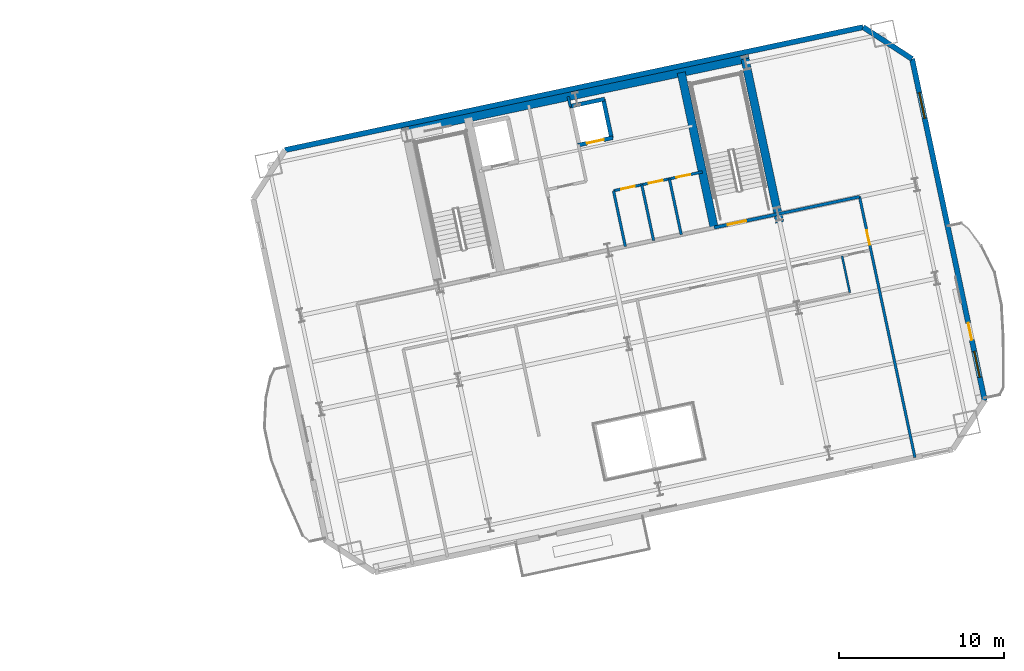
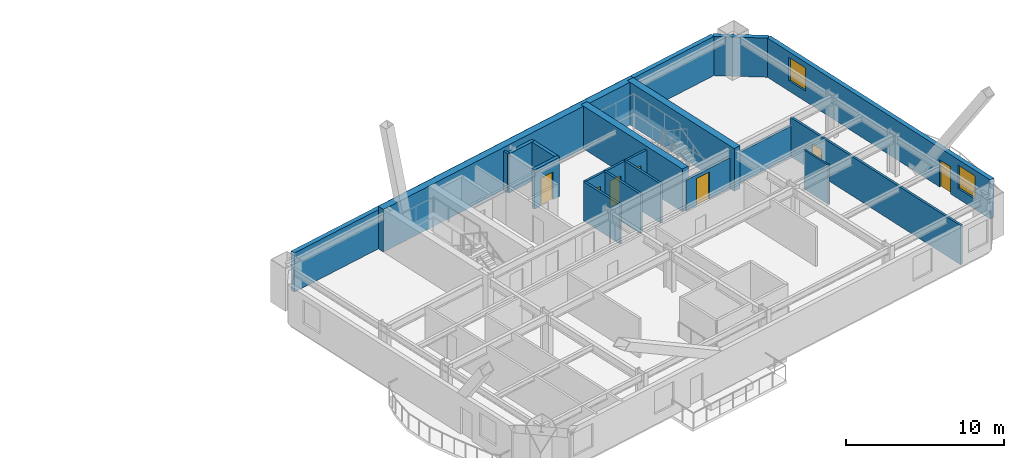
# One storey, part 9 of 15: 18 walls, 7 doors, 2 windows, 9 openings.
"""IFC4 building model written with IfcOpenShell, lengths in metres."""

from ifc_helpers import new_model, si_unit, direction, frame, frame_2d, origin, place, context, subcontext, project, spatial, rectangle, extrude, material, layer, layer_set, type_object, element, fill, save


model = new_model("IFC4")

# Units and contexts
model_context = context("Model", 3, precision=1e-05, world=origin(), true_north=direction((0.0, 1.0)))
body_context = subcontext(model_context, "Body", "Model", "MODEL_VIEW")
ifc_project = project(units=[si_unit("LENGTHUNIT", "METRE"), si_unit("AREAUNIT", "SQUARE_METRE"), si_unit("VOLUMEUNIT", "CUBIC_METRE"), si_unit("PLANEANGLEUNIT", "RADIAN"), si_unit("MASSUNIT", "GRAM", prefix="KILO")], contexts=[model_context])

# Site, building, storey
site_placement = place(None, origin())
site = spatial("IfcSite", under=ifc_project, at=site_placement, CompositionType="ELEMENT")
building_placement = place(site_placement, origin())
building = spatial("IfcBuilding", under=site, at=building_placement, Name="Haevon Station Towers", CompositionType="ELEMENT")
storey_placement = place(building_placement, frame((0.0, 0.0, 103.199951171875)))
storey = spatial("IfcBuildingStorey", under=building, at=storey_placement, Name="L27", CompositionType="ELEMENT", Elevation=103.199951171875)

# Wall
ifc_material_1 = material(Name="Gypsum board on steel stud", Category="steel")
ifc_layer_1 = layer(ifc_material_1, 0.179931640625)
ifc_layer_set_1 = layer_set([ifc_layer_1], Name="Gypsum board on steel stud")
wall_type_1 = type_object("IfcWallType", Name="WL-ACU180", PredefinedType="PARTITIONING", material=ifc_layer_set_1)
wall_1_placement = place(storey_placement, frame((119.29345703125, 41.80859375, 0.0), z_axis=(0.0, 0.0, 1.0), x_axis=(0.978154058851, 0.207881305445, 0.0)))
element("IfcWall", 1, at=wall_1_placement, inside=storey, type_object=wall_type_1, Name="WL-T2PT-L27-03", PredefinedType="PARTITIONING", context=body_context, shape_type="SweptSolid", body=[
    extrude(rectangle(XDim=5.050048828125, YDim=0.179931640625, at=frame_2d((2.52490234375, 0.0))), origin(), (0.0, 0.0, 1.0), 2.380126953125),
])

# Wall, opening, door
ifc_layer_2 = layer(ifc_material_1, 0.199951171875)
ifc_layer_set_2 = layer_set([ifc_layer_2], Name="Gypsum board on steel stud")
wall_type_2 = type_object("IfcWallType", Name="WL-COR200", PredefinedType="PARTITIONING", material=ifc_layer_set_2)
wall_2_placement = place(storey_placement, frame((115.4296875, 40.9873046875, 0.0), z_axis=(0.0, 0.0, 1.0), x_axis=(0.978146596989, 0.207916413008, 0.0)))
wall_2 = element("IfcWall", 2, at=wall_2_placement, inside=storey, type_object=wall_type_2, Name="WL-ST-ST4-L27", PredefinedType="PARTITIONING", context=body_context, shape_type="SweptSolid", body=[
    extrude(rectangle(XDim=3.9501953125, YDim=0.199951171875, at=frame_2d((1.97509765625, 0.0))), origin(), (0.0, 0.0, 1.0), 2.380126953125),
])
opening_1_placement = place(wall_2_placement, frame((0.85009765625, 0.0, 0.0)))
opening_1 = element("IfcOpeningElement", 3, at=opening_1_placement, cuts=wall_2, Name="Opening DR-ST-ST4-L27", PredefinedType="OPENING", context=body_context, shape_type="SweptSolid", body=[
    extrude(rectangle(XDim=1.1201171875, YDim=2.10009765625, at=frame_2d((0.56005859375, 1.050048828125))), frame((0.0, 0.10986328125, 0.0), z_axis=(0.0, -1.0, 0.0), x_axis=(1.0, 0.0, 0.0)), (0.0, 0.0, 1.0), 0.219970703125),
])
ifc_material_2 = material(Name="Engineered oak timber", Category="wood")
door_type_1 = type_object("IfcDoorType", Name="DR-ST-1120", OperationType="NOTDEFINED", PredefinedType="DOOR", material=ifc_material_2)
door_1_placement = place(opening_1_placement, origin())
door_1 = element("IfcDoor", 4, at=door_1_placement, inside=storey, type_object=door_type_1, Name="L27 Escape Stair ST4 Fire Door", OperationType="SINGLE_SWING_LEFT", OverallHeight=2.10009765625, OverallWidth=1.1201171875, PredefinedType="DOOR", context=body_context, shape_type="SweptSolid", body=[
    extrude(rectangle(XDim=1.1201171875, YDim=2.10009765625, at=frame_2d((0.56005859375, 1.050048828125))), frame((0.0, 0.02490234375, 0.0), z_axis=(0.0, -1.0, 0.0), x_axis=(1.0, 0.0, 0.0)), (0.0, 0.0, 1.0), 0.050048828125),
])
fill(opening_1, door_1)

# Walls
ifc_material_3 = material(Name="Concrete C60/75", Category="concrete")
ifc_layer_3 = layer(ifc_material_3, 0.5)
ifc_layer_set_3 = layer_set([ifc_layer_3], Name="Concrete C60/75")
wall_type_3 = type_object("IfcWallType", Name="WL-CR500", PredefinedType="SHEAR", material=ifc_layer_set_3)
wall_3_placement = place(storey_placement, frame((96.511962890625, 46.78076171875, 0.0), z_axis=(0.0, 0.0, 1.0), x_axis=(0.978148546782, 0.207907239961, 0.0)))
element("IfcWall", 5, at=wall_3_placement, inside=storey, type_object=wall_type_3, Name="WL-T2CR-L27-N", PredefinedType="SHEAR", context=body_context, shape_type="SweptSolid", body=[
    extrude(rectangle(XDim=21.499755859375, YDim=0.5, at=frame_2d((10.75, 0.0))), origin(), (0.0, 0.0, 1.0), 3.300048828125),
])
wall_4_placement = place(storey_placement, frame((119.401611328125, 41.2998046875, 0.0), z_axis=(0.0, 0.0, 1.0), x_axis=(-0.207904342798, 0.978149162575, 0.0)))
element("IfcWall", 6, at=wall_4_placement, inside=storey, type_object=wall_type_3, Name="WL-T2CR-L27-E", PredefinedType="SHEAR", context=body_context, shape_type="SweptSolid", body=[
    extrude(rectangle(XDim=10.1201171875, YDim=0.5, at=frame_2d((5.06005859375, 0.0))), origin(), (0.0, 0.0, 1.0), 3.300048828125),
])
wall_5_placement = place(storey_placement, frame((115.4296875, 40.9873046875, 0.0), z_axis=(0.0, 0.0, 1.0), x_axis=(-0.207903162969, 0.978149413345, 0.0)))
element("IfcWall", 7, at=wall_5_placement, inside=storey, type_object=wall_type_3, Name="WL-T2CR-L27-M2", PredefinedType="SHEAR", context=body_context, shape_type="SweptSolid", body=[
    extrude(rectangle(XDim=9.599853515625, YDim=0.5, at=frame_2d((4.7998046875, 0.0))), origin(), (0.0, 0.0, 1.0), 3.300048828125),
])
ifc_material_4 = material(Name="Precast concrete C45/55", Category="concrete")
ifc_layer_4 = layer(ifc_material_4, 0.320068359375)
ifc_layer_set_4 = layer_set([ifc_layer_4], Name="Precast concrete C45/55")
wall_type_4 = type_object("IfcWallType", Name="WL-EXT-PIER320", PredefinedType="SOLIDWALL", material=ifc_layer_set_4)
wall_6_placement = place(storey_placement, frame((89.43505859375, 45.685302734375, 0.0), z_axis=(0.0, 0.0, 1.0), x_axis=(0.978146786281, 0.207915522479, 0.0)))
element("IfcWall", 8, at=wall_6_placement, inside=storey, type_object=wall_type_4, Name="WL-T2-L27-N", PredefinedType="SOLIDWALL", context=body_context, shape_type="SweptSolid", body=[
    extrude(rectangle(XDim=35.7998046875, YDim=0.320068359375, at=frame_2d((17.89990234375, 0.0))), origin(), (0.0, 0.0, 1.0), 3.030029296875),
])
wall_7_placement = place(storey_placement, frame((124.45263671875, 53.128662109375, 0.0), z_axis=(0.0, 0.0, 1.0), x_axis=(0.838640767148, -0.544684921471, 0.0)))
element("IfcWall", 9, at=wall_7_placement, inside=storey, type_object=wall_type_4, Name="WL-T2-L27-NEC", PredefinedType="SOLIDWALL", context=body_context, shape_type="SweptSolid", body=[
    extrude(rectangle(XDim=3.53564453125, YDim=0.320068359375, at=frame_2d((1.767822265625, 0.0))), origin(), (0.0, 0.0, 1.0), 3.030029296875),
])

# Wall, openings, door, windows
wall_8_placement = place(storey_placement, frame((127.417724609375, 51.202880859375, 0.0), z_axis=(0.0, 0.0, 1.0), x_axis=(0.207918258146, -0.978146204782, 0.0)))
wall_8 = element("IfcWall", 10, at=wall_8_placement, inside=storey, type_object=wall_type_4, Name="WL-T2-L27-E", PredefinedType="SOLIDWALL", context=body_context, shape_type="SweptSolid", body=[
    extrude(rectangle(XDim=21.14990234375, YDim=0.320068359375, at=frame_2d((10.574951171875, 0.0))), origin(), (0.0, 0.0, 1.0), 3.030029296875),
])
opening_2_placement = place(wall_8_placement, frame((16.35009765625, 0.0, 0.0)))
opening_2 = element("IfcOpeningElement", 11, at=opening_2_placement, cuts=wall_8, Name="Opening DR-T2-SCAL-L27-E", PredefinedType="OPENING", context=body_context, shape_type="SweptSolid", body=[
    extrude(rectangle(XDim=1.050048828125, YDim=2.10009765625, at=frame_2d((0.52490234375, 1.050048828125))), frame((0.0, 0.169921875, 0.0), z_axis=(0.0, -1.0, 0.0), x_axis=(1.0, 0.0, 0.0)), (0.0, 0.0, 1.0), 0.340087890625),
])
opening_3_placement = place(wall_8_placement, frame((2.08203125, 0.0, 0.800048828125)))
opening_3 = element("IfcOpeningElement", 12, at=opening_3_placement, cuts=wall_8, Name="Opening WN-END160", PredefinedType="OPENING", context=body_context, shape_type="SweptSolid", body=[
    extrude(rectangle(XDim=1.60009765625, YDim=1.800048828125, at=frame_2d((0.800048828125, 0.89990234375))), frame((0.0, 0.169921875, 0.0), z_axis=(0.0, -1.0, 0.0), x_axis=(1.0, 0.0, 0.0)), (0.0, 0.0, 1.0), 0.340087890625),
])
opening_4_placement = place(wall_8_placement, frame((18.10888671875, 0.0, 0.800048828125)))
opening_4 = element("IfcOpeningElement", 13, at=opening_4_placement, cuts=wall_8, Name="Opening WN-END160", PredefinedType="OPENING", context=body_context, shape_type="SweptSolid", body=[
    extrude(rectangle(XDim=1.60009765625, YDim=1.800048828125, at=frame_2d((0.800048828125, 0.89990234375))), frame((0.0, 0.169921875, 0.0), z_axis=(0.0, -1.0, 0.0), x_axis=(1.0, 0.0, 0.0)), (0.0, 0.0, 1.0), 0.340087890625),
])
ifc_material_5 = material(Name="Thermally broken anodised aluminium and laminated safety glass", Category="aluminium")
door_type_2 = type_object("IfcDoorType", Name="DR-BALC-1050", OperationType="NOTDEFINED", PredefinedType="DOOR", material=ifc_material_5)
door_2_placement = place(opening_2_placement, origin())
door_2 = element("IfcDoor", 14, at=door_2_placement, inside=storey, type_object=door_type_2, Name="Tower 2 L27 East Scalloped Balcony Door", OperationType="SINGLE_SWING_LEFT", OverallHeight=2.10009765625, OverallWidth=1.050048828125, PredefinedType="DOOR", context=body_context, shape_type="SweptSolid", body=[
    extrude(rectangle(XDim=1.050048828125, YDim=2.10009765625, at=frame_2d((0.52490234375, 1.050048828125))), frame((0.0, 0.02490234375, 0.0), z_axis=(0.0, -1.0, 0.0), x_axis=(1.0, 0.0, 0.0)), (0.0, 0.0, 1.0), 0.050048828125),
])
fill(opening_2, door_2)
ifc_material_6 = material(Name="Low-E triple glazing in thermally broken aluminium", Category="aluminium")
window_type = type_object("IfcWindowType", Name="WN-END160", PartitioningType="SINGLE_PANEL", PredefinedType="WINDOW", material=ifc_material_6)
window_1_placement = place(opening_3_placement, origin())
window_1 = element("IfcWindow", 15, at=window_1_placement, inside=storey, type_object=window_type, Name="WN-T2-L27-E01", OverallHeight=1.800048828125, OverallWidth=1.60009765625, PartitioningType="SINGLE_PANEL", PredefinedType="WINDOW", context=body_context, shape_type="SweptSolid", body=[
    extrude(rectangle(XDim=1.60009765625, YDim=1.800048828125, at=frame_2d((0.800048828125, 0.89990234375))), frame((0.0, 0.030029296875, 0.0), z_axis=(0.0, -1.0, 0.0), x_axis=(1.0, 0.0, 0.0)), (0.0, 0.0, 1.0), 0.06005859375),
])
fill(opening_3, window_1)
window_2_placement = place(opening_4_placement, origin())
window_2 = element("IfcWindow", 16, at=window_2_placement, inside=storey, type_object=window_type, Name="WN-T2-L27-E02", OverallHeight=1.800048828125, OverallWidth=1.60009765625, PartitioningType="SINGLE_PANEL", PredefinedType="WINDOW", context=body_context, shape_type="SweptSolid", body=[
    extrude(rectangle(XDim=1.60009765625, YDim=1.800048828125, at=frame_2d((0.800048828125, 0.89990234375))), frame((0.0, 0.030029296875, 0.0), z_axis=(0.0, -1.0, 0.0), x_axis=(1.0, 0.0, 0.0)), (0.0, 0.0, 1.0), 0.06005859375),
])
fill(opening_4, window_2)

# Walls
ifc_layer_5 = layer(ifc_material_1, 0.125)
ifc_layer_set_5 = layer_set([ifc_layer_5], Name="Gypsum board on steel stud")
wall_type_5 = type_object("IfcWallType", Name="WL-PRT125", PredefinedType="PARTITIONING", material=ifc_layer_set_5)
wall_9_placement = place(storey_placement, frame((123.64599609375, 37.059814453125, 0.0), z_axis=(0.0, 0.0, 1.0), x_axis=(-0.207913264065, 0.978147266328, 0.0)))
element("IfcWall", 17, at=wall_9_placement, inside=storey, type_object=wall_type_5, Name="WL-T2PT-L27-16", PredefinedType="PARTITIONING", context=body_context, shape_type="SweptSolid", body=[
    extrude(rectangle(XDim=2.249755859375, YDim=0.125, at=frame_2d((1.125, 0.0))), origin(), (0.0, 0.0, 1.0), 3.030029296875),
])
ifc_layer_6 = layer(ifc_material_1, 0.159912109375)
ifc_layer_set_6 = layer_set([ifc_layer_6], Name="Gypsum board on steel stud")
wall_type_6 = type_object("IfcWallType", Name="WL-PRT160", PredefinedType="PARTITIONING", material=ifc_layer_set_6)
wall_10_placement = place(storey_placement, frame((106.721923828125, 48.286376953125, 0.0), z_axis=(0.0, 0.0, 1.0), x_axis=(-0.208092352933, 0.978109182377, 0.0)))
element("IfcWall", 18, at=wall_10_placement, inside=storey, type_object=wall_type_6, Name="WL-T2CW-L27-04", PredefinedType="PARTITIONING", context=body_context, shape_type="SweptSolid", body=[
    extrude(rectangle(XDim=0.64990234375, YDim=0.159912109375, at=frame_2d((0.324951171875, 0.0))), origin(), (0.0, 0.0, 1.0), 3.030029296875),
])
for number, where, z_axis, x_axis, name in (
    (19, (110.050048828125, 39.84375, 0.0), (0.0, 0.0, 1.0), (-0.207900225061, 0.978150037785, 0.0), "WL-T2CW-L27-05"),
    (20, (111.76171875, 40.20751953125, 0.0), (0.0, 0.0, 1.0), (-0.207900225061, 0.978150037785, 0.0), "WL-T2CW-L27-06"),
):
    element("IfcWall", number, at=place(storey_placement, frame(where, z_axis=z_axis, x_axis=x_axis)), inside=storey, type_object=wall_type_6, Name=name, PredefinedType="PARTITIONING", context=body_context, shape_type="SweptSolid", body=[
        extrude(rectangle(XDim=3.4501953125, YDim=0.159912109375, at=frame_2d((1.72509765625, 0.0))), origin(), (0.0, 0.0, 1.0), 3.030029296875),
    ])
wall_11_placement = place(storey_placement, frame((113.434326171875, 40.563232421875, 0.0), z_axis=(0.0, 0.0, 1.0), x_axis=(-0.207914616127, 0.978146978935, 0.0)))
element("IfcWall", 21, at=wall_11_placement, inside=storey, type_object=wall_type_6, Name="WL-T2CW-L27-07", PredefinedType="PARTITIONING", context=body_context, shape_type="SweptSolid", body=[
    extrude(rectangle(XDim=3.449951171875, YDim=0.159912109375, at=frame_2d((1.72509765625, 0.0))), origin(), (0.0, 0.0, 1.0), 3.030029296875),
])

# Wall, openings, doors
wall_12_placement = place(storey_placement, frame((109.332763671875, 43.218505859375, 0.0), z_axis=(0.0, 0.0, 1.0), x_axis=(0.978153773776, 0.207882646816, 0.0)))
wall_12 = element("IfcWall", 22, at=wall_12_placement, inside=storey, type_object=wall_type_6, Name="WL-T2CW-L27-08", PredefinedType="PARTITIONING", context=body_context, shape_type="SweptSolid", body=[
    extrude(rectangle(XDim=5.499755859375, YDim=0.159912109375, at=frame_2d((2.75, 0.0))), origin(), (0.0, 0.0, 1.0), 3.030029296875),
])
opening_5_placement = place(wall_12_placement, frame((0.469970703125, 0.0, 0.0)))
opening_5 = element("IfcOpeningElement", 23, at=opening_5_placement, cuts=wall_12, Name="Opening DR-WL-T2CW-L27-08-1", PredefinedType="OPENING", context=body_context, shape_type="SweptSolid", body=[
    extrude(rectangle(XDim=0.85009765625, YDim=2.050048828125, at=frame_2d((0.425048828125, 1.02490234375))), frame((0.0, 0.08984375, 0.0), z_axis=(0.0, -1.0, 0.0), x_axis=(1.0, 0.0, 0.0)), (0.0, 0.0, 1.0), 0.179931640625),
])
opening_6_placement = place(wall_12_placement, frame((2.179931640625, 0.0, 0.0)))
opening_6 = element("IfcOpeningElement", 24, at=opening_6_placement, cuts=wall_12, Name="Opening DR-WL-T2CW-L27-08-2", PredefinedType="OPENING", context=body_context, shape_type="SweptSolid", body=[
    extrude(rectangle(XDim=0.85009765625, YDim=2.050048828125, at=frame_2d((0.425048828125, 1.02490234375))), frame((0.0, 0.08984375, 0.0), z_axis=(0.0, -1.0, 0.0), x_axis=(1.0, 0.0, 0.0)), (0.0, 0.0, 1.0), 0.179931640625),
])
opening_7_placement = place(wall_12_placement, frame((3.89501953125, 0.0, 0.0)))
opening_7 = element("IfcOpeningElement", 25, at=opening_7_placement, cuts=wall_12, Name="Opening DR-WL-T2CW-L27-08-3", PredefinedType="OPENING", context=body_context, shape_type="SweptSolid", body=[
    extrude(rectangle(XDim=0.85009765625, YDim=2.050048828125, at=frame_2d((0.425048828125, 1.02490234375))), frame((0.0, 0.08984375, 0.0), z_axis=(0.0, -1.0, 0.0), x_axis=(1.0, 0.0, 0.0)), (0.0, 0.0, 1.0), 0.179931640625),
])
door_type_3 = type_object("IfcDoorType", Name="DR-FD30-850", OperationType="NOTDEFINED", PredefinedType="DOOR", material=ifc_material_2)
door_3_placement = place(opening_5_placement, origin())
door_3 = element("IfcDoor", 26, at=door_3_placement, inside=storey, type_object=door_type_3, Name="L27 Tower 2 Core Room Door 8-1", OperationType="SINGLE_SWING_LEFT", OverallHeight=2.050048828125, OverallWidth=0.85009765625, PredefinedType="DOOR", context=body_context, shape_type="SweptSolid", body=[
    extrude(rectangle(XDim=0.85009765625, YDim=2.050048828125, at=frame_2d((0.425048828125, 1.02490234375))), frame((0.0, 0.02490234375, 0.0), z_axis=(0.0, -1.0, 0.0), x_axis=(1.0, 0.0, 0.0)), (0.0, 0.0, 1.0), 0.050048828125),
])
fill(opening_5, door_3)
door_4_placement = place(opening_6_placement, origin())
door_4 = element("IfcDoor", 27, at=door_4_placement, inside=storey, type_object=door_type_3, Name="L27 Tower 2 Core Room Door 8-2", OperationType="SINGLE_SWING_RIGHT", OverallHeight=2.050048828125, OverallWidth=0.85009765625, PredefinedType="DOOR", context=body_context, shape_type="SweptSolid", body=[
    extrude(rectangle(XDim=0.85009765625, YDim=2.050048828125, at=frame_2d((0.425048828125, 1.02490234375))), frame((0.0, 0.02490234375, 0.0), z_axis=(0.0, -1.0, 0.0), x_axis=(1.0, 0.0, 0.0)), (0.0, 0.0, 1.0), 0.050048828125),
])
fill(opening_6, door_4)
door_5_placement = place(opening_7_placement, origin())
door_5 = element("IfcDoor", 28, at=door_5_placement, inside=storey, type_object=door_type_3, Name="L27 Tower 2 Core Room Door 8-3", OperationType="SINGLE_SWING_LEFT", OverallHeight=2.050048828125, OverallWidth=0.85009765625, PredefinedType="DOOR", context=body_context, shape_type="SweptSolid", body=[
    extrude(rectangle(XDim=0.85009765625, YDim=2.050048828125, at=frame_2d((0.425048828125, 1.02490234375))), frame((0.0, 0.02490234375, 0.0), z_axis=(0.0, -1.0, 0.0), x_axis=(1.0, 0.0, 0.0)), (0.0, 0.0, 1.0), 0.050048828125),
])
fill(opening_7, door_5)

# Wall, opening, door
wall_13_placement = place(storey_placement, frame((127.5908203125, 27.0615234375, 0.0), z_axis=(0.0, 0.0, 1.0), x_axis=(-0.207907933608, 0.978148399346, 0.0)))
wall_13 = element("IfcWall", 29, at=wall_13_placement, inside=storey, type_object=wall_type_6, Name="WL-T2PT-L27-05", PredefinedType="PARTITIONING", context=body_context, shape_type="SweptSolid", body=[
    extrude(rectangle(XDim=16.149658203125, YDim=0.159912109375, at=frame_2d((8.07470703125, 0.0))), origin(), (0.0, 0.0, 1.0), 3.030029296875),
])
opening_8_placement = place(wall_13_placement, frame((13.169921875, 0.0, 0.0)))
opening_8 = element("IfcOpeningElement", 30, at=opening_8_placement, cuts=wall_13, Name="Opening DR-WL-T2PT-L27-05-01", PredefinedType="OPENING", context=body_context, shape_type="SweptSolid", body=[
    extrude(rectangle(XDim=0.89990234375, YDim=2.050048828125, at=frame_2d((0.449951171875, 1.02490234375))), frame((0.0, 0.08984375, 0.0), z_axis=(0.0, -1.0, 0.0), x_axis=(1.0, 0.0, 0.0)), (0.0, 0.0, 1.0), 0.179931640625),
])
door_type_4 = type_object("IfcDoorType", Name="DR-INT-900", OperationType="NOTDEFINED", PredefinedType="DOOR", material=ifc_material_2)
door_6_placement = place(opening_8_placement, origin())
door_6 = element("IfcDoor", 31, at=door_6_placement, inside=storey, type_object=door_type_4, Name="L27 Tower 2 Room Door 5-1", OperationType="SINGLE_SWING_LEFT", OverallHeight=2.050048828125, OverallWidth=0.89990234375, PredefinedType="DOOR", context=body_context, shape_type="SweptSolid", body=[
    extrude(rectangle(XDim=0.89990234375, YDim=2.050048828125, at=frame_2d((0.449951171875, 1.02490234375))), frame((0.0, 0.02490234375, 0.0), z_axis=(0.0, -1.0, 0.0), x_axis=(1.0, 0.0, 0.0)), (0.0, 0.0, 1.0), 0.050048828125),
])
fill(opening_8, door_6)

ifc_material_7 = material(Name="Concrete C40/50", Category="concrete")
ifc_layer_7 = layer(ifc_material_7, 0.239990234375)
ifc_layer_set_7 = layer_set([ifc_layer_7], Name="Concrete C40/50")
wall_type_7 = type_object("IfcWallType", Name="WL-SHF240", PredefinedType="PARTITIONING", material=ifc_layer_set_7)
wall_14_placement = place(storey_placement, frame((107.18115234375, 45.9814453125, 0.0), z_axis=(0.0, 0.0, 1.0), x_axis=(0.97813528961, 0.207969601673, 0.0)))
wall_14 = element("IfcWall", 32, at=wall_14_placement, inside=storey, type_object=wall_type_7, Name="WL-SHF-PL8-L27", PredefinedType="PARTITIONING", context=body_context, shape_type="SweptSolid", body=[
    extrude(rectangle(XDim=2.159912109375, YDim=0.239990234375, at=frame_2d((1.080078125, 0.0))), origin(), (0.0, 0.0, 1.0), 3.030029296875),
])
opening_9_placement = place(wall_14_placement, frame((0.554931640625, 0.0, 0.0)))
opening_9 = element("IfcOpeningElement", 33, at=opening_9_placement, cuts=wall_14, Name="Opening LD-PL8-L27", PredefinedType="OPENING", context=body_context, shape_type="SweptSolid", body=[
    extrude(rectangle(XDim=1.050048828125, YDim=2.14990234375, at=frame_2d((0.52490234375, 1.074951171875))), frame((0.0, 0.1298828125, 0.0), z_axis=(0.0, -1.0, 0.0), x_axis=(1.0, 0.0, 0.0)), (0.0, 0.0, 1.0), 0.260009765625),
])
ifc_material_8 = material(Name="Stainless steel and rated core", Category="steel")
door_type_5 = type_object("IfcDoorType", Name="LD-PL1050", OperationType="SLIDING_TO_LEFT", PredefinedType="DOOR", material=ifc_material_8)
door_7_placement = place(opening_9_placement, origin())
door_7 = element("IfcDoor", 34, at=door_7_placement, inside=storey, type_object=door_type_5, Name="L27 Lift PL8 Sliding Landing Door", OperationType="SLIDING_TO_LEFT", OverallHeight=2.14990234375, OverallWidth=1.050048828125, PredefinedType="DOOR", context=body_context, shape_type="SweptSolid", body=[
    extrude(rectangle(XDim=1.050048828125, YDim=2.14990234375, at=frame_2d((0.52490234375, 1.074951171875))), frame((0.0, 0.02490234375, 0.0), z_axis=(0.0, -1.0, 0.0), x_axis=(1.0, 0.0, 0.0)), (0.0, 0.0, 1.0), 0.050048828125),
])
fill(opening_9, door_7)

# Walls
wall_15_placement = place(storey_placement, frame((106.68212890625, 48.3291015625, 0.0), z_axis=(0.0, 0.0, 1.0), x_axis=(0.978158276388, 0.207861459473, 0.0)))
element("IfcWall", 35, at=wall_15_placement, inside=storey, type_object=wall_type_7, Name="WL-SHF-PL8-L27-N", PredefinedType="PARTITIONING", context=body_context, shape_type="SweptSolid", body=[
    extrude(rectangle(XDim=2.159912109375, YDim=0.239990234375, at=frame_2d((1.080078125, 0.0))), origin(), (0.0, 0.0, 1.0), 3.030029296875),
])
wall_16_placement = place(storey_placement, frame((109.2158203125, 46.413818359375, 0.0), z_axis=(0.0, 0.0, 1.0), x_axis=(-0.207917150959, 0.978146440129, 0.0)))
element("IfcWall", 36, at=wall_16_placement, inside=storey, type_object=wall_type_7, Name="WL-SHF-PL8-L27-E", PredefinedType="PARTITIONING", context=body_context, shape_type="SweptSolid", body=[
    extrude(rectangle(XDim=2.400146484375, YDim=0.239990234375, at=frame_2d((1.2001953125, 0.0))), origin(), (0.0, 0.0, 1.0), 3.030029296875),
])

save(model, "model.ifc")
